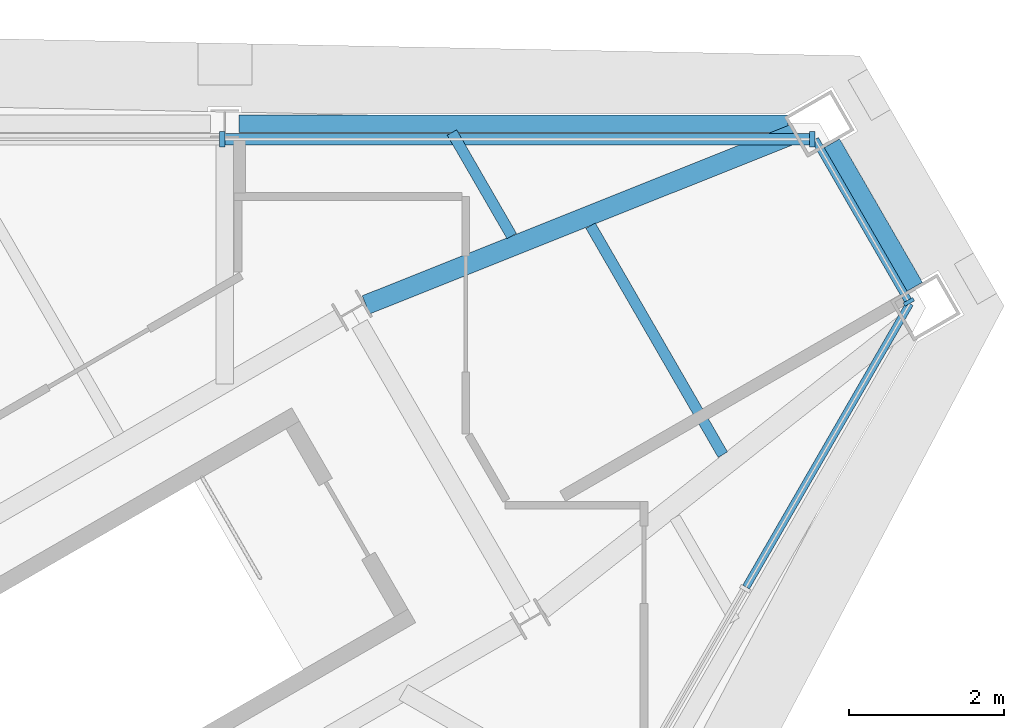
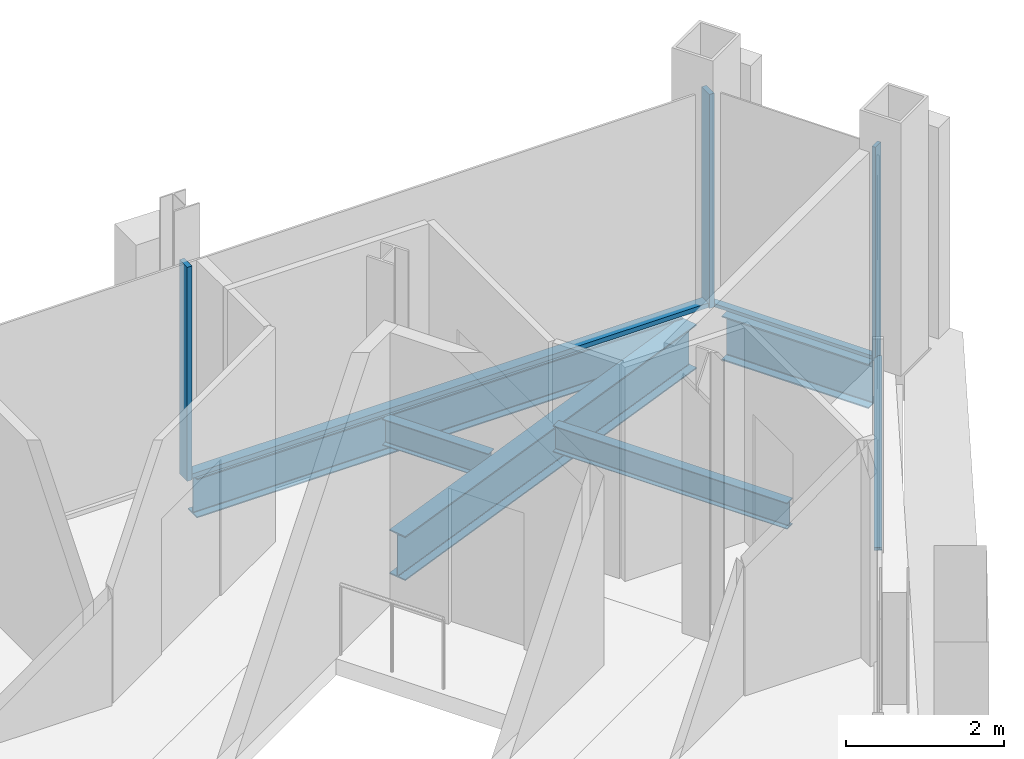
# One storey, part 7 of 11: 6 members, 5 beams, 3 elements without a shape of their own.
"""IFC4 building model written with IfcOpenShell, lengths in metres."""

from ifc_helpers import new_model, si_unit, direction, frame, origin, origin_2d, place, context, subcontext, project, spatial, rectangle, i_section, extrude, material, material_profile, profile_set, type_object, element, aggregate, save


model = new_model("IFC4")

# Units and contexts
model_context = context("Model", 3, precision=1e-05, world=origin(), true_north=direction((0.0, 1.0)))
body_context = subcontext(model_context, "Body", "Model", "MODEL_VIEW")
ifc_project = project(units=[si_unit("LENGTHUNIT", "METRE"), si_unit("AREAUNIT", "SQUARE_METRE"), si_unit("VOLUMEUNIT", "CUBIC_METRE"), si_unit("PLANEANGLEUNIT", "RADIAN"), si_unit("MASSUNIT", "GRAM", prefix="KILO")], contexts=[model_context])

# Site, building, storey
site_placement = place(None, origin())
site = spatial("IfcSite", under=ifc_project, at=site_placement, CompositionType="ELEMENT")
building_placement = place(site_placement, origin())
building = spatial("IfcBuilding", under=site, at=building_placement, Name="Verrane Prism Tower", CompositionType="ELEMENT")
storey_placement = place(building_placement, frame((0.0, 0.0, 329.39990234375)))
storey = spatial("IfcBuildingStorey", under=building, at=storey_placement, Name="L83", CompositionType="ELEMENT", Elevation=329.39990234375)

# Beams
ifc_material_1 = material(Name="Steel A992", Category="steel")
ifc_material_profile_1 = material_profile(ifc_material_1, i_section(OverallWidth=0.25390625, OverallDepth=0.683349609375, WebThickness=0.012451171875, FlangeThickness=0.01904296875, FilletRadius=0.01513671875, at=origin_2d()), Name="W27x94")
ifc_profile_set_1 = profile_set([ifc_material_profile_1], Name="Steel A992")
beam_type_1 = type_object("IfcBeamType", Name="Chamfer spandrel beam W27x94", PredefinedType="SPANDREL", material=ifc_profile_set_1)
beam_1_placement = place(storey_placement, frame((20.389892578125, 10.539794921875, -0.50146484375), z_axis=(-0.500486898547, 0.865744110221, 0.0), x_axis=(-0.865744110221, -0.500486898547, 0.0)))
element("IfcBeam", 1, at=beam_1_placement, inside=storey, type_object=beam_type_1, Name="Chamfer spandrel beam L83", PredefinedType="SPANDREL", context=body_context, shape_type="SweptSolid", body=[
    extrude(i_section(OverallWidth=0.25390625, OverallDepth=0.683349609375, WebThickness=0.012451171875, FlangeThickness=0.01904296875, FilletRadius=0.01513671875, at=origin_2d()), origin(), (0.0, 0.0, 1.0), 2.137451171875),
])
ifc_material_2 = material(Name="Steel A992", Category="steel")
ifc_material_profile_2 = material_profile(ifc_material_2, i_section(OverallWidth=0.25390625, OverallDepth=0.683349609375, WebThickness=0.012451171875, FlangeThickness=0.01904296875, FilletRadius=0.01513671875, at=origin_2d()), Name="W27x94")
ifc_profile_set_2 = profile_set([ifc_material_profile_2], Name="Steel A992")
beam_type_2 = type_object("IfcBeamType", Name="Corner girder W27x94", PredefinedType="BEAM", material=ifc_profile_set_2)
beam_2_placement = place(storey_placement, frame((18.841552734375, 12.518798828125, -0.5615234375), z_axis=(-0.928587103525, -0.371114525675, 0.0), x_axis=(0.371114525675, -0.928587103525, 0.0)))
element("IfcBeam", 2, at=beam_2_placement, inside=storey, type_object=beam_type_2, Name="Corner girder L83", PredefinedType="BEAM", context=body_context, shape_type="SweptSolid", body=[
    extrude(i_section(OverallWidth=0.25390625, OverallDepth=0.683349609375, WebThickness=0.012451171875, FlangeThickness=0.01904296875, FilletRadius=0.01513671875, at=origin_2d()), origin(), (0.0, 0.0, 1.0), 5.945068359375),
])
ifc_material_3 = material(Name="Steel A992", Category="steel")
ifc_material_profile_3 = material_profile(ifc_material_3, i_section(OverallWidth=0.140380859375, OverallDepth=0.40380859375, WebThickness=0.007080078125, FlangeThickness=0.01123046875, FilletRadius=0.01025390625, at=origin_2d()), Name="W16x31")
ifc_profile_set_3 = profile_set([ifc_material_profile_3], Name="Steel A992")
beam_type_3 = type_object("IfcBeamType", Name="Floor beam W16x31", PredefinedType="BEAM", material=ifc_profile_set_3)
beam_3_placement = place(storey_placement, frame((15.201904296875, 11.20068359375, -0.36181640625), z_axis=(-0.50005597947, 0.86599308161, 0.0), x_axis=(-0.86599308161, -0.50005597947, 0.0)))
element("IfcBeam", 3, at=beam_3_placement, inside=storey, type_object=beam_type_3, Name="Floor beam L83", PredefinedType="BEAM", context=body_context, shape_type="SweptSolid", body=[
    extrude(i_section(OverallWidth=0.140380859375, OverallDepth=0.40380859375, WebThickness=0.007080078125, FlangeThickness=0.01123046875, FilletRadius=0.01025390625, at=origin_2d()), origin(), (0.0, 0.0, 1.0), 1.541748046875),
])
beam_4_placement = place(storey_placement, frame((17.925048828125, 8.380615234375, -0.36181640625), z_axis=(-0.500042619005, 0.866000796292, 0.0), x_axis=(-0.866000796292, -0.500042619005, 0.0)))
element("IfcBeam", 4, at=beam_4_placement, inside=storey, type_object=beam_type_3, Name="Floor beam L83", PredefinedType="BEAM", context=body_context, shape_type="SweptSolid", body=[
    extrude(i_section(OverallWidth=0.140380859375, OverallDepth=0.40380859375, WebThickness=0.007080078125, FlangeThickness=0.01123046875, FilletRadius=0.01025390625, at=origin_2d()), origin(), (0.0, 0.0, 1.0), 3.410400390625),
])

# Curtain wall, member
ifc_material_4 = material(Name="Aluminium framed insulated glazing", Category="aluminium")
curtain_wall_type_1 = type_object("IfcCurtainWallType", Name="Curtain wall CW-C 4200 module", PredefinedType="NOTDEFINED", material=ifc_material_4)
curtain_wall_1_placement = place(storey_placement, origin())
curtain_wall_1 = element("IfcCurtainWall", 5, at=curtain_wall_1_placement, inside=storey, type_object=curtain_wall_type_1, Name="Glazed curtain wall north-east corner L83", PredefinedType="NOTDEFINED")
ifc_material_5 = material(Name="Aluminium alloy 6063-T6", Category="aluminium")
ifc_material_profile_4 = material_profile(ifc_material_5, rectangle(XDim=0.139892578125, YDim=0.050048828125, at=origin_2d()), Name="Mullion 50x140 aluminium")
ifc_profile_set_4 = profile_set([ifc_material_profile_4], Name="Aluminium alloy 6063-T6")
member_type_1 = type_object("IfcMemberType", Name="Mullion 50x140 aluminium", PredefinedType="MULLION", material=ifc_profile_set_4)
member_1_placement = place(storey_placement, frame((20.32421875, 10.351318359375, 0.0), z_axis=(0.0, 0.0, 1.0), x_axis=(-0.866024860131, -0.500000941634, 0.0)))
member_1 = element("IfcMember", 6, at=member_1_placement, type_object=member_type_1, Name="CW83.1 mullion 1", PredefinedType="MULLION", context=body_context, shape_type="SweptSolid", body=[
    extrude(rectangle(XDim=0.139892578125, YDim=0.050048828125, at=origin_2d()), origin(), (0.0, 0.0, 1.0), 3.296875),
])

# Curtain wall, members
ifc_material_6 = material(Name="Aluminium framed insulated glazing", Category="aluminium")
curtain_wall_type_2 = type_object("IfcCurtainWallType", Name="Curtain wall CW-A 8400 module", PredefinedType="NOTDEFINED", material=ifc_material_6)
curtain_wall_2_placement = place(storey_placement, origin())
curtain_wall_2 = element("IfcCurtainWall", 7, at=curtain_wall_2_placement, inside=storey, type_object=curtain_wall_type_2, Name="Glazed curtain wall north face L83", PredefinedType="NOTDEFINED")
ifc_material_7 = material(Name="Aluminium alloy 6063-T6", Category="aluminium")
ifc_material_profile_5 = material_profile(ifc_material_7, rectangle(XDim=0.199951171875, YDim=0.070068359375, at=origin_2d()), Name="Mullion 70x200 aluminium")
ifc_profile_set_5 = profile_set([ifc_material_profile_5], Name="Aluminium alloy 6063-T6")
member_type_2 = type_object("IfcMemberType", Name="Mullion 70x200 aluminium", PredefinedType="MULLION", material=ifc_profile_set_5)
member_2_placement = place(storey_placement, frame((19.0791015625, 12.447265625, 0.0), z_axis=(0.0, 0.0, 1.0), x_axis=(0.0, -1.0, 0.0)))
member_2 = element("IfcMember", 8, at=member_2_placement, type_object=member_type_2, Name="CW83.2 mullion 1", PredefinedType="MULLION", context=body_context, shape_type="SweptSolid", body=[
    extrude(rectangle(XDim=0.199951171875, YDim=0.070068359375, at=origin_2d()), origin(), (0.0, 0.0, 1.0), 3.296875),
])
member_3_placement = place(storey_placement, frame((11.468505859375, 12.447265625, 0.0), z_axis=(0.0, 0.0, 1.0), x_axis=(0.0, -1.0, 0.0)))
member_3 = element("IfcMember", 9, at=member_3_placement, type_object=member_type_2, Name="CW83.2 mullion 2", PredefinedType="MULLION", context=body_context, shape_type="SweptSolid", body=[
    extrude(rectangle(XDim=0.199951171875, YDim=0.070068359375, at=origin_2d()), origin(), (0.0, 0.0, 1.0), 3.296875),
])

# Beam
ifc_material_8 = material(Name="Steel A992", Category="steel")
ifc_material_profile_6 = material_profile(ifc_material_8, i_section(OverallWidth=0.228271484375, OverallDepth=0.607177734375, WebThickness=0.01123046875, FlangeThickness=0.017333984375, FilletRadius=0.0126953125, at=origin_2d()), Name="W24x76")
ifc_profile_set_6 = profile_set([ifc_material_profile_6], Name="Steel A992")
beam_type_4 = type_object("IfcBeamType", Name="Spandrel beam W24x76", PredefinedType="SPANDREL", material=ifc_profile_set_6)
beam_5_placement = place(storey_placement, frame((18.765869140625, 12.64990234375, -0.46337890625), z_axis=(-1.0, 0.0, 0.0), x_axis=(0.0, -1.0, 0.0)))
element("IfcBeam", 10, at=beam_5_placement, inside=storey, type_object=beam_type_4, Name="Spandrel beam L83", PredefinedType="SPANDREL", context=body_context, shape_type="SweptSolid", body=[
    extrude(i_section(OverallWidth=0.228271484375, OverallDepth=0.607177734375, WebThickness=0.01123046875, FlangeThickness=0.017333984375, FilletRadius=0.0126953125, at=origin_2d()), origin(), (0.0, 0.0, 1.0), 7.0791015625),
])

# Member
ifc_material_9 = material(Name="Aluminium alloy 6063-T6", Category="aluminium")
ifc_material_profile_7 = material_profile(ifc_material_9, rectangle(XDim=0.10009765625, YDim=0.050048828125, at=origin_2d()), Name="Transom 50x100 aluminium")
ifc_profile_set_7 = profile_set([ifc_material_profile_7], Name="Aluminium alloy 6063-T6")
member_type_3 = type_object("IfcMemberType", Name="Transom 50x100 aluminium", PredefinedType="USERDEFINED", material=ifc_profile_set_7)
member_4_placement = place(storey_placement, frame((20.3115234375, 10.372802734375, 0.025146484375), z_axis=(-0.499943030081, 0.866058292884, 0.0), x_axis=(-0.866058292884, -0.499943030081, 0.0)))
member_4 = element("IfcMember", 11, at=member_4_placement, type_object=member_type_3, Name="CW83.1 transom 1", ObjectType="TRANSOM", PredefinedType="USERDEFINED", context=body_context, shape_type="SweptSolid", body=[
    extrude(rectangle(XDim=0.10009765625, YDim=0.050048828125, at=origin_2d()), origin(), (0.0, 0.0, 1.0), 2.395263671875),
])

aggregate(curtain_wall_1, [member_1, member_4])

# Curtain wall, member
curtain_wall_3_placement = place(storey_placement, origin())
curtain_wall_3 = element("IfcCurtainWall", 12, at=curtain_wall_3_placement, inside=storey, type_object=curtain_wall_type_1, Name="Glazed curtain wall south-east face L83", PredefinedType="NOTDEFINED")
member_5_placement = place(storey_placement, frame((18.225341796875, 6.6728515625, 0.025146484375), z_axis=(0.500019412692, 0.866014195571, 0.0), x_axis=(-0.866014195571, 0.500019412692, 0.0)))
member_5 = element("IfcMember", 13, at=member_5_placement, type_object=member_type_3, Name="CW83.6 transom 9", ObjectType="TRANSOM", PredefinedType="USERDEFINED", context=body_context, shape_type="SweptSolid", body=[
    extrude(rectangle(XDim=0.10009765625, YDim=0.050048828125, at=origin_2d()), origin(), (0.0, 0.0, 1.0), 4.222412109375),
])
aggregate(curtain_wall_3, [member_5])

# Member
ifc_material_10 = material(Name="Aluminium alloy 6063-T6", Category="aluminium")
ifc_material_profile_8 = material_profile(ifc_material_10, rectangle(XDim=0.14990234375, YDim=0.070068359375, at=origin_2d()), Name="Transom 70x150 aluminium")
ifc_profile_set_8 = profile_set([ifc_material_profile_8], Name="Aluminium alloy 6063-T6")
member_type_4 = type_object("IfcMemberType", Name="Transom 70x150 aluminium", PredefinedType="USERDEFINED", material=ifc_profile_set_8)
member_6_placement = place(storey_placement, frame((19.0439453125, 12.447265625, 0.03515625), z_axis=(-1.0, 0.0, 0.0), x_axis=(0.0, -1.0, 0.0)))
member_6 = element("IfcMember", 14, at=member_6_placement, type_object=member_type_4, Name="CW83.2 transom 1", ObjectType="TRANSOM", PredefinedType="USERDEFINED", context=body_context, shape_type="SweptSolid", body=[
    extrude(rectangle(XDim=0.14990234375, YDim=0.070068359375, at=origin_2d()), origin(), (0.0, 0.0, 1.0), 7.54052734375),
])

aggregate(curtain_wall_2, [member_2, member_3, member_6])

save(model, "model.ifc")
